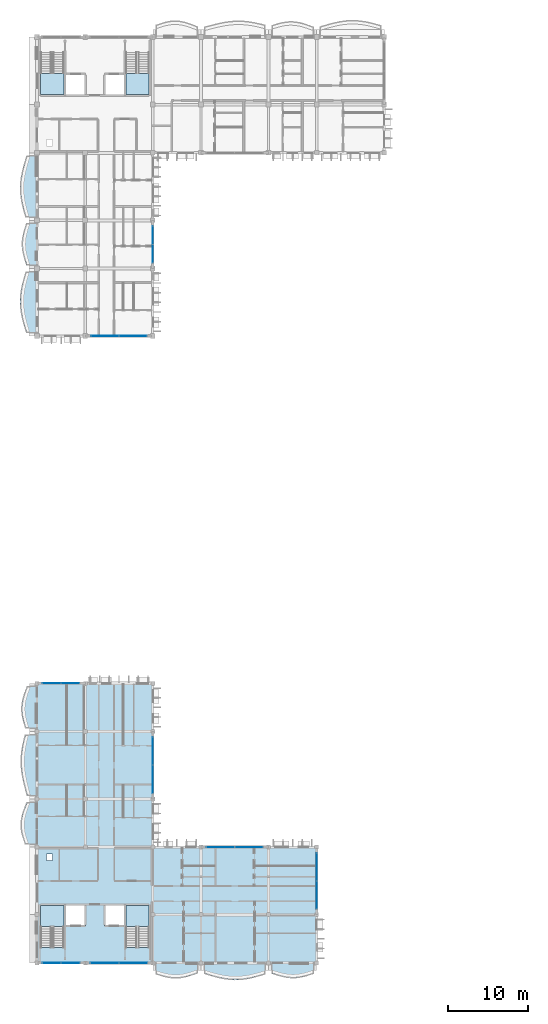
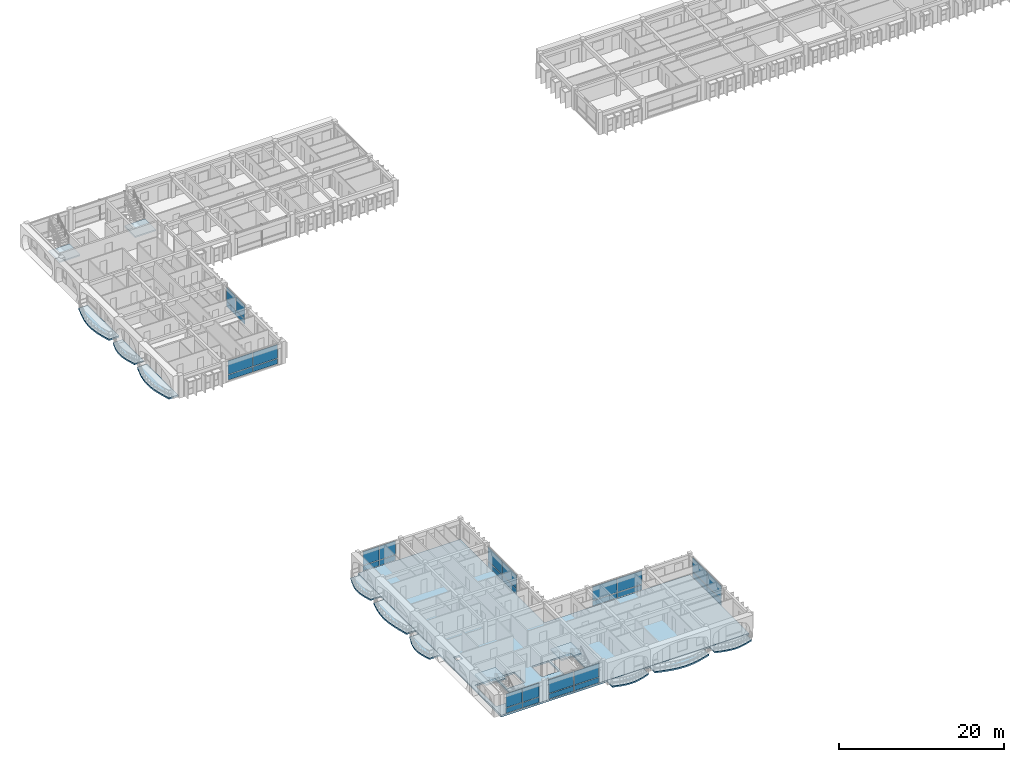
# One storey, part 17 of 54: 32 plates, 14 slabs, 12 elements without a shape of their own.
"""IFC4 building model written with IfcOpenShell, lengths in metres."""

from ifc_helpers import new_model, si_unit, direction, frame, origin, origin_2d, place, context, subcontext, project, spatial, polyline, rectangle, outline, extrude, material, layer, layer_set, type_object, element, aggregate, save


model = new_model("IFC4")

# Units and contexts
model_context = context("Model", 3, precision=1e-05, world=origin(), true_north=direction((0.0, 1.0)))
body_context = subcontext(model_context, "Body", "Model", "MODEL_VIEW")
ifc_project = project(units=[si_unit("LENGTHUNIT", "METRE"), si_unit("AREAUNIT", "SQUARE_METRE"), si_unit("VOLUMEUNIT", "CUBIC_METRE"), si_unit("PLANEANGLEUNIT", "RADIAN"), si_unit("MASSUNIT", "GRAM", prefix="KILO"), si_unit("THERMODYNAMICTEMPERATUREUNIT", "KELVIN")], contexts=[model_context])

# Site, building, storey
site_placement = place(None, origin())
site = spatial("IfcSite", under=ifc_project, at=site_placement, CompositionType="ELEMENT")
building_placement = place(site_placement, origin())
building = spatial("IfcBuilding", under=site, at=building_placement, Name="Thalorik Housing Commons", CompositionType="ELEMENT")
storey_placement = place(building_placement, frame((0.0, 0.0, 31.199951171875)))
storey = spatial("IfcBuildingStorey", under=building, at=storey_placement, Name="L09", CompositionType="ELEMENT", Elevation=31.199951171875)

# Curtain wall, plates
ifc_material_1 = material(Name="Anodised aluminium and solar-control low-E glass", Category="aluminium")
curtain_wall_type_1 = type_object("IfcCurtainWallType", Name="ARC-CW-LOUNGE", PredefinedType="USERDEFINED", material=ifc_material_1)
curtain_wall_1_placement = place(storey_placement, origin())
curtain_wall_1 = element("IfcCurtainWall", 1, at=curtain_wall_1_placement, inside=storey, type_object=curtain_wall_type_1, Name="L09 Curtain Wall CW-RES-L09-A-043", ObjectType="CURTAIN WALL", PredefinedType="USERDEFINED")
ifc_material_2 = material(Name="Cobalt blue enamelled aluminium spandrel panel", Category="aluminium")
ifc_layer_1 = layer(ifc_material_2, 0.0458984375, Name="Cobalt blue enamelled aluminium spandrel panel", Category="aluminium")
ifc_layer_set_1 = layer_set([ifc_layer_1], Name="Cobalt blue enamelled aluminium spandrel panel")
plate_type_1 = type_object("IfcPlateType", Name="ARC-CP-BLU-46", PredefinedType="CURTAIN_PANEL", material=ifc_layer_set_1)
plate_1_placement = place(storey_placement, frame((16.85009765625, 86.39990234375, 0.080078125), z_axis=(0.0, 0.0, 1.0), x_axis=(1.0, 0.0, 0.0)))
plate_1 = element("IfcPlate", 2, at=plate_1_placement, type_object=plate_type_1, Name="CW-RES-L09-A-043 Spandrel Panel 1", PredefinedType="CURTAIN_PANEL", context=body_context, shape_type="SweptSolid", body=[
    extrude(rectangle(XDim=3.43994140625, YDim=0.0458984375, at=origin_2d()), origin(), (0.0, 0.0, 1.0), 0.760009765625),
])
plate_2_placement = place(storey_placement, frame((20.35009765625, 86.39990234375, 0.080078125), z_axis=(0.0, 0.0, 1.0), x_axis=(1.0, 0.0, 0.0)))
plate_2 = element("IfcPlate", 3, at=plate_2_placement, type_object=plate_type_1, Name="CW-RES-L09-A-043 Spandrel Panel 2", PredefinedType="CURTAIN_PANEL", context=body_context, shape_type="SweptSolid", body=[
    extrude(rectangle(XDim=3.43994140625, YDim=0.0458984375, at=origin_2d()), origin(), (0.0, 0.0, 1.0), 0.760009765625),
])

curtain_wall_2_placement = place(storey_placement, origin())
curtain_wall_2 = element("IfcCurtainWall", 4, at=curtain_wall_2_placement, inside=storey, type_object=curtain_wall_type_1, Name="L09 Curtain Wall CW-RES-L09-C-164", ObjectType="CURTAIN WALL", PredefinedType="USERDEFINED")
plate_3_placement = place(storey_placement, frame((22.800048828125, 31.25, 0.080078125), z_axis=(0.0, 0.0, 1.0), x_axis=(0.0, 1.0, 0.0)))
plate_3 = element("IfcPlate", 5, at=plate_3_placement, type_object=plate_type_1, Name="CW-RES-L09-C-164 Spandrel Panel 1", PredefinedType="CURTAIN_PANEL", context=body_context, shape_type="SweptSolid", body=[
    extrude(rectangle(XDim=3.43994140625, YDim=0.0458984375, at=origin_2d()), origin(), (0.0, 0.0, 1.0), 0.760009765625),
])
plate_4_placement = place(storey_placement, frame((22.800048828125, 34.75, 0.080078125), z_axis=(0.0, 0.0, 1.0), x_axis=(0.0, 1.0, 0.0)))
plate_4 = element("IfcPlate", 6, at=plate_4_placement, type_object=plate_type_1, Name="CW-RES-L09-C-164 Spandrel Panel 2", PredefinedType="CURTAIN_PANEL", context=body_context, shape_type="SweptSolid", body=[
    extrude(rectangle(XDim=3.43994140625, YDim=0.0458984375, at=origin_2d()), origin(), (0.0, 0.0, 1.0), 0.760009765625),
])

curtain_wall_3_placement = place(storey_placement, origin())
curtain_wall_3 = element("IfcCurtainWall", 7, at=curtain_wall_3_placement, inside=storey, type_object=curtain_wall_type_1, Name="L09 Curtain Wall CW-RES-L09-C-165", ObjectType="CURTAIN WALL", PredefinedType="USERDEFINED")
plate_5_placement = place(storey_placement, frame((12.550048828125, 43.199951171875, 0.080078125), z_axis=(0.0, 0.0, 1.0), x_axis=(-1.0, 0.0, 0.0)))
plate_5 = element("IfcPlate", 8, at=plate_5_placement, type_object=plate_type_1, Name="CW-RES-L09-C-165 Spandrel Panel 1", PredefinedType="CURTAIN_PANEL", context=body_context, shape_type="SweptSolid", body=[
    extrude(rectangle(XDim=2.239990234375, YDim=0.0458984375, at=origin_2d()), origin(), (0.0, 0.0, 1.0), 0.760009765625),
])
plate_6_placement = place(storey_placement, frame((10.25, 43.199951171875, 0.080078125), z_axis=(0.0, 0.0, 1.0), x_axis=(-1.0, 0.0, 0.0)))
plate_6 = element("IfcPlate", 9, at=plate_6_placement, type_object=plate_type_1, Name="CW-RES-L09-C-165 Spandrel Panel 2", PredefinedType="CURTAIN_PANEL", context=body_context, shape_type="SweptSolid", body=[
    extrude(rectangle(XDim=2.239990234375, YDim=0.0458984375, at=origin_2d()), origin(), (0.0, 0.0, 1.0), 0.760009765625),
])

curtain_wall_type_2 = type_object("IfcCurtainWallType", Name="ARC-CW-CORE", PredefinedType="USERDEFINED", material=ifc_material_1)
curtain_wall_4_placement = place(storey_placement, origin())
curtain_wall_4 = element("IfcCurtainWall", 10, at=curtain_wall_4_placement, inside=storey, type_object=curtain_wall_type_2, Name="L09 Curtain Wall CW-CORE-L09-C-167", ObjectType="CURTAIN WALL", PredefinedType="USERDEFINED")
plate_7_placement = place(storey_placement, frame((10.22509765625, 8.39990234375, 0.080078125), z_axis=(0.0, 0.0, 1.0), x_axis=(1.0, 0.0, 0.0)))
plate_7 = element("IfcPlate", 11, at=plate_7_placement, type_object=plate_type_1, Name="CW-CORE-L09-C-167 Spandrel Panel 1", PredefinedType="CURTAIN_PANEL", context=body_context, shape_type="SweptSolid", body=[
    extrude(rectangle(XDim=2.2900390625, YDim=0.0458984375, at=origin_2d()), origin(), (0.0, 0.0, 1.0), 0.760009765625),
])
plate_8_placement = place(storey_placement, frame((12.574951171875, 8.39990234375, 0.080078125), z_axis=(0.0, 0.0, 1.0), x_axis=(1.0, 0.0, 0.0)))
plate_8 = element("IfcPlate", 12, at=plate_8_placement, type_object=plate_type_1, Name="CW-CORE-L09-C-167 Spandrel Panel 2", PredefinedType="CURTAIN_PANEL", context=body_context, shape_type="SweptSolid", body=[
    extrude(rectangle(XDim=2.2900390625, YDim=0.0458984375, at=origin_2d()), origin(), (0.0, 0.0, 1.0), 0.760009765625),
])

curtain_wall_5_placement = place(storey_placement, origin())
curtain_wall_5 = element("IfcCurtainWall", 13, at=curtain_wall_5_placement, inside=storey, type_object=curtain_wall_type_1, Name="L09 Curtain Wall CW-RES-L09-C-169", ObjectType="CURTAIN WALL", PredefinedType="USERDEFINED")
plate_9_placement = place(storey_placement, frame((43.199951171875, 16.85009765625, 0.080078125), z_axis=(0.0, 0.0, 1.0), x_axis=(0.0, 1.0, 0.0)))
plate_9 = element("IfcPlate", 14, at=plate_9_placement, type_object=plate_type_1, Name="CW-RES-L09-C-169 Spandrel Panel 1", PredefinedType="CURTAIN_PANEL", context=body_context, shape_type="SweptSolid", body=[
    extrude(rectangle(XDim=3.43994140625, YDim=0.0458984375, at=origin_2d()), origin(), (0.0, 0.0, 1.0), 0.760009765625),
])
plate_10_placement = place(storey_placement, frame((43.199951171875, 20.35009765625, 0.080078125), z_axis=(0.0, 0.0, 1.0), x_axis=(0.0, 1.0, 0.0)))
plate_10 = element("IfcPlate", 15, at=plate_10_placement, type_object=plate_type_1, Name="CW-RES-L09-C-169 Spandrel Panel 2", PredefinedType="CURTAIN_PANEL", context=body_context, shape_type="SweptSolid", body=[
    extrude(rectangle(XDim=3.43994140625, YDim=0.0458984375, at=origin_2d()), origin(), (0.0, 0.0, 1.0), 0.760009765625),
])

# Plate
ifc_material_3 = material(Name="Double solar-control low-E glass", Category="glass")
ifc_layer_2 = layer(ifc_material_3, 0.028076171875, Name="Double solar-control low-E glass", Category="glass")
ifc_layer_set_2 = layer_set([ifc_layer_2], Name="Double solar-control low-E glass")
plate_type_2 = type_object("IfcPlateType", Name="ARC-CP-GLZ-28", PredefinedType="CURTAIN_PANEL", material=ifc_layer_set_2)
plate_11_placement = place(storey_placement, frame((16.85009765625, 86.39990234375, 0.919921875), z_axis=(0.0, 0.0, 1.0), x_axis=(1.0, 0.0, 0.0)))
plate_11 = element("IfcPlate", 16, at=plate_11_placement, type_object=plate_type_2, Name="CW-RES-L09-A-043 Vision Panel 1", PredefinedType="CURTAIN_PANEL", context=body_context, shape_type="SweptSolid", body=[
    extrude(rectangle(XDim=3.43994140625, YDim=0.028076171875, at=origin_2d()), origin(), (0.0, 0.0, 1.0), 2.0400390625),
])

plate_12_placement = place(storey_placement, frame((20.35009765625, 86.39990234375, 0.919921875), z_axis=(0.0, 0.0, 1.0), x_axis=(1.0, 0.0, 0.0)))
plate_12 = element("IfcPlate", 17, at=plate_12_placement, type_object=plate_type_2, Name="CW-RES-L09-A-043 Vision Panel 2", PredefinedType="CURTAIN_PANEL", context=body_context, shape_type="SweptSolid", body=[
    extrude(rectangle(XDim=3.43994140625, YDim=0.028076171875, at=origin_2d()), origin(), (0.0, 0.0, 1.0), 2.0400390625),
])

aggregate(curtain_wall_1, [plate_1, plate_11, plate_2, plate_12])

# Curtain wall, plates
curtain_wall_6_placement = place(storey_placement, origin())
curtain_wall_6 = element("IfcCurtainWall", 18, at=curtain_wall_6_placement, inside=storey, type_object=curtain_wall_type_1, Name="L09 Curtain Wall CW-RES-L09-A-044", ObjectType="CURTAIN WALL", PredefinedType="USERDEFINED")
plate_13_placement = place(storey_placement, frame((22.800048828125, 96.64990234375, 0.919921875), z_axis=(0.0, 0.0, 1.0), x_axis=(0.0, 1.0, 0.0)))
plate_13 = element("IfcPlate", 19, at=plate_13_placement, type_object=plate_type_2, Name="CW-RES-L09-A-044 Vision Panel 1", PredefinedType="CURTAIN_PANEL", context=body_context, shape_type="SweptSolid", body=[
    extrude(rectangle(XDim=2.239990234375, YDim=0.028076171875, at=origin_2d()), origin(), (0.0, 0.0, 1.0), 2.0400390625),
])
plate_14_placement = place(storey_placement, frame((22.800048828125, 98.949951171875, 0.919921875), z_axis=(0.0, 0.0, 1.0), x_axis=(0.0, 1.0, 0.0)))
plate_14 = element("IfcPlate", 20, at=plate_14_placement, type_object=plate_type_2, Name="CW-RES-L09-A-044 Vision Panel 2", PredefinedType="CURTAIN_PANEL", context=body_context, shape_type="SweptSolid", body=[
    extrude(rectangle(XDim=2.239990234375, YDim=0.028076171875, at=origin_2d()), origin(), (0.0, 0.0, 1.0), 2.0400390625),
])

# Plate
plate_15_placement = place(storey_placement, frame((22.800048828125, 31.25, 0.919921875), z_axis=(0.0, 0.0, 1.0), x_axis=(0.0, 1.0, 0.0)))
plate_15 = element("IfcPlate", 21, at=plate_15_placement, type_object=plate_type_2, Name="CW-RES-L09-C-164 Vision Panel 1", PredefinedType="CURTAIN_PANEL", context=body_context, shape_type="SweptSolid", body=[
    extrude(rectangle(XDim=3.43994140625, YDim=0.028076171875, at=origin_2d()), origin(), (0.0, 0.0, 1.0), 2.0400390625),
])

plate_16_placement = place(storey_placement, frame((22.800048828125, 34.75, 0.919921875), z_axis=(0.0, 0.0, 1.0), x_axis=(0.0, 1.0, 0.0)))
plate_16 = element("IfcPlate", 22, at=plate_16_placement, type_object=plate_type_2, Name="CW-RES-L09-C-164 Vision Panel 2", PredefinedType="CURTAIN_PANEL", context=body_context, shape_type="SweptSolid", body=[
    extrude(rectangle(XDim=3.43994140625, YDim=0.028076171875, at=origin_2d()), origin(), (0.0, 0.0, 1.0), 2.0400390625),
])

aggregate(curtain_wall_2, [plate_3, plate_15, plate_4, plate_16])

plate_17_placement = place(storey_placement, frame((12.550048828125, 43.199951171875, 0.919921875), z_axis=(0.0, 0.0, 1.0), x_axis=(-1.0, 0.0, 0.0)))
plate_17 = element("IfcPlate", 23, at=plate_17_placement, type_object=plate_type_2, Name="CW-RES-L09-C-165 Vision Panel 1", PredefinedType="CURTAIN_PANEL", context=body_context, shape_type="SweptSolid", body=[
    extrude(rectangle(XDim=2.239990234375, YDim=0.028076171875, at=origin_2d()), origin(), (0.0, 0.0, 1.0), 2.0400390625),
])

plate_18_placement = place(storey_placement, frame((10.25, 43.199951171875, 0.919921875), z_axis=(0.0, 0.0, 1.0), x_axis=(-1.0, 0.0, 0.0)))
plate_18 = element("IfcPlate", 24, at=plate_18_placement, type_object=plate_type_2, Name="CW-RES-L09-C-165 Vision Panel 2", PredefinedType="CURTAIN_PANEL", context=body_context, shape_type="SweptSolid", body=[
    extrude(rectangle(XDim=2.239990234375, YDim=0.028076171875, at=origin_2d()), origin(), (0.0, 0.0, 1.0), 2.0400390625),
])

aggregate(curtain_wall_3, [plate_5, plate_17, plate_6, plate_18])

plate_19_placement = place(storey_placement, frame((10.22509765625, 8.39990234375, 0.919921875), z_axis=(0.0, 0.0, 1.0), x_axis=(1.0, 0.0, 0.0)))
plate_19 = element("IfcPlate", 25, at=plate_19_placement, type_object=plate_type_2, Name="CW-CORE-L09-C-167 Vision Panel 1", PredefinedType="CURTAIN_PANEL", context=body_context, shape_type="SweptSolid", body=[
    extrude(rectangle(XDim=2.2900390625, YDim=0.028076171875, at=origin_2d()), origin(), (0.0, 0.0, 1.0), 2.0400390625),
])

plate_20_placement = place(storey_placement, frame((12.574951171875, 8.39990234375, 0.919921875), z_axis=(0.0, 0.0, 1.0), x_axis=(1.0, 0.0, 0.0)))
plate_20 = element("IfcPlate", 26, at=plate_20_placement, type_object=plate_type_2, Name="CW-CORE-L09-C-167 Vision Panel 2", PredefinedType="CURTAIN_PANEL", context=body_context, shape_type="SweptSolid", body=[
    extrude(rectangle(XDim=2.2900390625, YDim=0.028076171875, at=origin_2d()), origin(), (0.0, 0.0, 1.0), 2.0400390625),
])

aggregate(curtain_wall_4, [plate_7, plate_19, plate_8, plate_20])

# Curtain wall, plates
curtain_wall_7_placement = place(storey_placement, origin())
curtain_wall_7 = element("IfcCurtainWall", 27, at=curtain_wall_7_placement, inside=storey, type_object=curtain_wall_type_2, Name="L09 Curtain Wall CW-CORE-L09-C-168", ObjectType="CURTAIN WALL", PredefinedType="USERDEFINED")
plate_21_placement = place(storey_placement, frame((16.824951171875, 8.39990234375, 0.919921875), z_axis=(0.0, 0.0, 1.0), x_axis=(1.0, 0.0, 0.0)))
plate_21 = element("IfcPlate", 28, at=plate_21_placement, type_object=plate_type_2, Name="CW-CORE-L09-C-168 Vision Panel 1", PredefinedType="CURTAIN_PANEL", context=body_context, shape_type="SweptSolid", body=[
    extrude(rectangle(XDim=3.489990234375, YDim=0.028076171875, at=origin_2d()), origin(), (0.0, 0.0, 1.0), 2.0400390625),
])
plate_22_placement = place(storey_placement, frame((20.375, 8.39990234375, 0.919921875), z_axis=(0.0, 0.0, 1.0), x_axis=(1.0, 0.0, 0.0)))
plate_22 = element("IfcPlate", 29, at=plate_22_placement, type_object=plate_type_2, Name="CW-CORE-L09-C-168 Vision Panel 2", PredefinedType="CURTAIN_PANEL", context=body_context, shape_type="SweptSolid", body=[
    extrude(rectangle(XDim=3.489990234375, YDim=0.028076171875, at=origin_2d()), origin(), (0.0, 0.0, 1.0), 2.0400390625),
])

# Plate
plate_23_placement = place(storey_placement, frame((43.199951171875, 16.85009765625, 0.919921875), z_axis=(0.0, 0.0, 1.0), x_axis=(0.0, 1.0, 0.0)))
plate_23 = element("IfcPlate", 30, at=plate_23_placement, type_object=plate_type_2, Name="CW-RES-L09-C-169 Vision Panel 1", PredefinedType="CURTAIN_PANEL", context=body_context, shape_type="SweptSolid", body=[
    extrude(rectangle(XDim=3.43994140625, YDim=0.028076171875, at=origin_2d()), origin(), (0.0, 0.0, 1.0), 2.0400390625),
])

plate_24_placement = place(storey_placement, frame((43.199951171875, 20.35009765625, 0.919921875), z_axis=(0.0, 0.0, 1.0), x_axis=(0.0, 1.0, 0.0)))
plate_24 = element("IfcPlate", 31, at=plate_24_placement, type_object=plate_type_2, Name="CW-RES-L09-C-169 Vision Panel 2", PredefinedType="CURTAIN_PANEL", context=body_context, shape_type="SweptSolid", body=[
    extrude(rectangle(XDim=3.43994140625, YDim=0.028076171875, at=origin_2d()), origin(), (0.0, 0.0, 1.0), 2.0400390625),
])

aggregate(curtain_wall_5, [plate_9, plate_23, plate_10, plate_24])

# Curtain wall, plates
curtain_wall_8_placement = place(storey_placement, origin())
curtain_wall_8 = element("IfcCurtainWall", 32, at=curtain_wall_8_placement, inside=storey, type_object=curtain_wall_type_1, Name="L09 Curtain Wall CW-RES-L09-C-170", ObjectType="CURTAIN WALL", PredefinedType="USERDEFINED")
plate_25_placement = place(storey_placement, frame((34.75, 22.800048828125, 0.919921875), z_axis=(0.0, 0.0, 1.0), x_axis=(-1.0, 0.0, 0.0)))
plate_25 = element("IfcPlate", 33, at=plate_25_placement, type_object=plate_type_2, Name="CW-RES-L09-C-170 Vision Panel 1", PredefinedType="CURTAIN_PANEL", context=body_context, shape_type="SweptSolid", body=[
    extrude(rectangle(XDim=3.43994140625, YDim=0.028076171875, at=origin_2d()), origin(), (0.0, 0.0, 1.0), 2.0400390625),
])
plate_26_placement = place(storey_placement, frame((31.25, 22.800048828125, 0.919921875), z_axis=(0.0, 0.0, 1.0), x_axis=(-1.0, 0.0, 0.0)))
plate_26 = element("IfcPlate", 34, at=plate_26_placement, type_object=plate_type_2, Name="CW-RES-L09-C-170 Vision Panel 2", PredefinedType="CURTAIN_PANEL", context=body_context, shape_type="SweptSolid", body=[
    extrude(rectangle(XDim=3.43994140625, YDim=0.028076171875, at=origin_2d()), origin(), (0.0, 0.0, 1.0), 2.0400390625),
])

# Plate
ifc_material_4 = material(Name="Oxide red enamelled aluminium spandrel panel", Category="aluminium")
ifc_layer_3 = layer(ifc_material_4, 0.0419921875, Name="Oxide red enamelled aluminium spandrel panel", Category="aluminium")
ifc_layer_set_3 = layer_set([ifc_layer_3], Name="Oxide red enamelled aluminium spandrel panel")
plate_type_3 = type_object("IfcPlateType", Name="ARC-CP-RED-42", PredefinedType="CURTAIN_PANEL", material=ifc_layer_set_3)
plate_27_placement = place(storey_placement, frame((22.800048828125, 96.64990234375, 0.080078125), z_axis=(0.0, 0.0, 1.0), x_axis=(0.0, 1.0, 0.0)))
plate_27 = element("IfcPlate", 35, at=plate_27_placement, type_object=plate_type_3, Name="CW-RES-L09-A-044 Spandrel Panel 1", PredefinedType="CURTAIN_PANEL", context=body_context, shape_type="SweptSolid", body=[
    extrude(rectangle(XDim=2.239990234375, YDim=0.0419921875, at=origin_2d()), origin(), (0.0, 0.0, 1.0), 0.760009765625),
])

plate_28_placement = place(storey_placement, frame((22.800048828125, 98.949951171875, 0.080078125), z_axis=(0.0, 0.0, 1.0), x_axis=(0.0, 1.0, 0.0)))
plate_28 = element("IfcPlate", 36, at=plate_28_placement, type_object=plate_type_3, Name="CW-RES-L09-A-044 Spandrel Panel 2", PredefinedType="CURTAIN_PANEL", context=body_context, shape_type="SweptSolid", body=[
    extrude(rectangle(XDim=2.239990234375, YDim=0.0419921875, at=origin_2d()), origin(), (0.0, 0.0, 1.0), 0.760009765625),
])

aggregate(curtain_wall_6, [plate_27, plate_13, plate_28, plate_14])

plate_29_placement = place(storey_placement, frame((34.75, 22.800048828125, 0.080078125), z_axis=(0.0, 0.0, 1.0), x_axis=(-1.0, 0.0, 0.0)))
plate_29 = element("IfcPlate", 37, at=plate_29_placement, type_object=plate_type_3, Name="CW-RES-L09-C-170 Spandrel Panel 1", PredefinedType="CURTAIN_PANEL", context=body_context, shape_type="SweptSolid", body=[
    extrude(rectangle(XDim=3.43994140625, YDim=0.0419921875, at=origin_2d()), origin(), (0.0, 0.0, 1.0), 0.760009765625),
])

plate_30_placement = place(storey_placement, frame((31.25, 22.800048828125, 0.080078125), z_axis=(0.0, 0.0, 1.0), x_axis=(-1.0, 0.0, 0.0)))
plate_30 = element("IfcPlate", 38, at=plate_30_placement, type_object=plate_type_3, Name="CW-RES-L09-C-170 Spandrel Panel 2", PredefinedType="CURTAIN_PANEL", context=body_context, shape_type="SweptSolid", body=[
    extrude(rectangle(XDim=3.43994140625, YDim=0.0419921875, at=origin_2d()), origin(), (0.0, 0.0, 1.0), 0.760009765625),
])

aggregate(curtain_wall_8, [plate_29, plate_25, plate_30, plate_26])

ifc_material_5 = material(Name="Mineral ochre yellow aluminium spandrel panel", Category="aluminium")
ifc_layer_4 = layer(ifc_material_5, 0.050048828125, Name="Mineral ochre yellow aluminium spandrel panel", Category="aluminium")
ifc_layer_set_4 = layer_set([ifc_layer_4], Name="Mineral ochre yellow aluminium spandrel panel")
plate_type_4 = type_object("IfcPlateType", Name="ARC-CP-YEL-50", PredefinedType="CURTAIN_PANEL", material=ifc_layer_set_4)
plate_31_placement = place(storey_placement, frame((16.824951171875, 8.39990234375, 0.080078125), z_axis=(0.0, 0.0, 1.0), x_axis=(1.0, 0.0, 0.0)))
plate_31 = element("IfcPlate", 39, at=plate_31_placement, type_object=plate_type_4, Name="CW-CORE-L09-C-168 Spandrel Panel 1", PredefinedType="CURTAIN_PANEL", context=body_context, shape_type="SweptSolid", body=[
    extrude(rectangle(XDim=3.489990234375, YDim=0.050048828125, at=origin_2d()), origin(), (0.0, 0.0, 1.0), 0.760009765625),
])

plate_32_placement = place(storey_placement, frame((20.375, 8.39990234375, 0.080078125), z_axis=(0.0, 0.0, 1.0), x_axis=(1.0, 0.0, 0.0)))
plate_32 = element("IfcPlate", 40, at=plate_32_placement, type_object=plate_type_4, Name="CW-CORE-L09-C-168 Spandrel Panel 2", PredefinedType="CURTAIN_PANEL", context=body_context, shape_type="SweptSolid", body=[
    extrude(rectangle(XDim=3.489990234375, YDim=0.050048828125, at=origin_2d()), origin(), (0.0, 0.0, 1.0), 0.760009765625),
])

aggregate(curtain_wall_7, [plate_31, plate_21, plate_32, plate_22])

# Stair, slab
ifc_material_6 = material(Name="Precast concrete C40/50", Category="concrete")
stair_type = type_object("IfcStairType", Name="ARC-STR-1350-R20", PredefinedType="HALF_TURN_STAIR", material=ifc_material_6)
stair_1_placement = place(storey_placement, origin())
stair_1 = element("IfcStair", 41, at=stair_1_placement, inside=storey, type_object=stair_type, Name="L09 Block A Smoke-Proof Stair 1", PredefinedType="HALF_TURN_STAIR")
ifc_layer_5 = layer(ifc_material_6, 0.199951171875, Name="Precast concrete C40/50", Category="concrete")
ifc_layer_set_5 = layer_set([ifc_layer_5], Name="Precast concrete C40/50")
slab_type_1 = type_object("IfcSlabType", Name="ARC-SLB-STLND-200", PredefinedType="LANDING", material=ifc_layer_set_5)
slab_1_placement = place(storey_placement, frame((0.0, 0.0, 1.449951171875)))
slab_1 = element("IfcSlab", 42, at=slab_1_placement, type_object=slab_type_1, Name="ST-A1 landing 1", PredefinedType="LANDING", context=body_context, shape_type="SweptSolid", body=[
    extrude(outline(polyline([(8.85009765625, 119.090087890625), (8.85009765625, 116.449951171875), (11.75, 116.449951171875), (11.75, 119.090087890625), (8.85009765625, 119.090087890625)])), origin(), (0.0, 0.0, 1.0), 0.2001953125),
])
aggregate(stair_1, [slab_1])

stair_2_placement = place(storey_placement, origin())
stair_2 = element("IfcStair", 43, at=stair_2_placement, inside=storey, type_object=stair_type, Name="L09 Block A Smoke-Proof Stair 2", PredefinedType="HALF_TURN_STAIR")
slab_2_placement = place(storey_placement, frame((0.0, 0.0, 1.449951171875)))
slab_2 = element("IfcSlab", 44, at=slab_2_placement, type_object=slab_type_1, Name="ST-A2 landing 1", PredefinedType="LANDING", context=body_context, shape_type="SweptSolid", body=[
    extrude(outline(polyline([(19.449951171875, 119.090087890625), (19.449951171875, 116.449951171875), (22.35009765625, 116.449951171875), (22.35009765625, 119.090087890625), (19.449951171875, 119.090087890625)])), origin(), (0.0, 0.0, 1.0), 0.2001953125),
])
aggregate(stair_2, [slab_2])

stair_3_placement = place(storey_placement, origin())
stair_3 = element("IfcStair", 45, at=stair_3_placement, inside=storey, type_object=stair_type, Name="L09 Block C Smoke-Proof Stair 1", PredefinedType="HALF_TURN_STAIR")
slab_3_placement = place(storey_placement, frame((0.0, 0.0, 1.449951171875)))
slab_3 = element("IfcSlab", 46, at=slab_3_placement, type_object=slab_type_1, Name="ST-C1 landing 1", PredefinedType="LANDING", context=body_context, shape_type="SweptSolid", body=[
    extrude(outline(polyline([(11.75, 12.909912109375), (11.75, 15.550048828125), (8.85009765625, 15.550048828125), (8.85009765625, 12.909912109375), (11.75, 12.909912109375)])), origin(), (0.0, 0.0, 1.0), 0.2001953125),
])
aggregate(stair_3, [slab_3])

stair_4_placement = place(storey_placement, origin())
stair_4 = element("IfcStair", 47, at=stair_4_placement, inside=storey, type_object=stair_type, Name="L09 Block C Smoke-Proof Stair 2", PredefinedType="HALF_TURN_STAIR")
slab_4_placement = place(storey_placement, frame((0.0, 0.0, 1.449951171875)))
slab_4 = element("IfcSlab", 48, at=slab_4_placement, type_object=slab_type_1, Name="ST-C2 landing 1", PredefinedType="LANDING", context=body_context, shape_type="SweptSolid", body=[
    extrude(outline(polyline([(22.35009765625, 12.909912109375), (22.35009765625, 15.550048828125), (19.449951171875, 15.550048828125), (19.449951171875, 12.909912109375), (22.35009765625, 12.909912109375)])), origin(), (0.0, 0.0, 1.0), 0.2001953125),
])
aggregate(stair_4, [slab_4])

# Slabs
ifc_layer_6 = layer(ifc_material_6, 0.199951171875, Name="Precast concrete C40/50", Category="concrete")
ifc_layer_set_6 = layer_set([ifc_layer_6], Name="Precast concrete C40/50")
slab_type_2 = type_object("IfcSlabType", Name="STR-SLB-BALC-200", PredefinedType="FLOOR", material=ifc_layer_set_6)
slab_5_placement = place(storey_placement, frame((0.0, 0.0, -0.199951171875)))
element("IfcSlab", 49, at=slab_5_placement, inside=storey, type_object=slab_type_2, Name="L09 Block A Cushion Balcony 67", PredefinedType="FLOOR", context=body_context, shape_type="SweptSolid", body=[
    extrude(outline(polyline([(8.39990234375, 95.219970703125), (8.39990234375, 100.3798828125), (7.06787109375, 100.3798828125), (6.9296875, 99.949951171875), (6.80078125, 99.52001953125), (6.689697265625, 99.090087890625), (6.60498046875, 98.659912109375), (6.552978515625, 98.22998046875), (6.537109375, 97.800048828125), (6.55859375, 97.3701171875), (6.616455078125, 96.93994140625), (6.706298828125, 96.510009765625), (6.822021484375, 96.080078125), (6.954833984375, 95.64990234375), (7.095703125, 95.219970703125), (8.39990234375, 95.219970703125)])), origin(), (0.0, 0.0, 1.0), 0.199951171875),
])
slab_6_placement = place(storey_placement, frame((0.0, 0.0, -0.199951171875)))
element("IfcSlab", 50, at=slab_6_placement, inside=storey, type_object=slab_type_2, Name="L09 Block C Cushion Balcony 317", PredefinedType="FLOOR", context=body_context, shape_type="SweptSolid", body=[
    extrude(outline(polyline([(8.39990234375, 23.219970703125), (8.39990234375, 28.3798828125), (7.12158203125, 28.3798828125), (6.947021484375, 27.949951171875), (6.781005859375, 27.52001953125), (6.633544921875, 27.090087890625), (6.514404296875, 26.659912109375), (6.430908203125, 26.22998046875), (6.38818359375, 25.800048828125), (6.38818359375, 25.3701171875), (6.43017578125, 24.93994140625), (6.510986328125, 24.510009765625), (6.6240234375, 24.080078125), (6.76171875, 23.64990234375), (6.9140625, 23.219970703125), (8.39990234375, 23.219970703125)])), origin(), (0.0, 0.0, 1.0), 0.199951171875),
])
slab_7_placement = place(storey_placement, frame((0.0, 0.0, -0.199951171875)))
element("IfcSlab", 51, at=slab_7_placement, inside=storey, type_object=slab_type_2, Name="L09 Block C Cushion Balcony 319", PredefinedType="FLOOR", context=body_context, shape_type="SweptSolid", body=[
    extrude(outline(polyline([(8.39990234375, 37.6201171875), (8.39990234375, 42.780029296875), (7.149658203125, 42.780029296875), (6.990966796875, 42.35009765625), (6.8388671875, 41.919921875), (6.70361328125, 41.489990234375), (6.593994140625, 41.06005859375), (6.517578125, 40.6298828125), (6.478515625, 40.199951171875), (6.47900390625, 39.77001953125), (6.5185546875, 39.340087890625), (6.593505859375, 38.909912109375), (6.6982421875, 38.47998046875), (6.82470703125, 38.050048828125), (6.963623046875, 37.6201171875), (8.39990234375, 37.6201171875)])), origin(), (0.0, 0.0, 1.0), 0.199951171875),
])
slab_8_placement = place(storey_placement, frame((0.0, 0.0, -0.199951171875)))
element("IfcSlab", 52, at=slab_8_placement, inside=storey, type_object=slab_type_2, Name="L09 Block C Cushion Balcony 320", PredefinedType="FLOOR", context=body_context, shape_type="SweptSolid", body=[
    extrude(outline(polyline([(23.219970703125, 7.00634765625), (23.64990234375, 6.8701171875), (24.080078125, 6.74462890625), (24.510009765625, 6.639404296875), (24.93994140625, 6.562255859375), (25.3701171875, 6.51904296875), (25.800048828125, 6.513427734375), (26.22998046875, 6.546142578125), (26.659912109375, 6.615478515625), (27.090087890625, 6.716796875), (27.52001953125, 6.843505859375), (27.949951171875, 6.98681640625), (28.3798828125, 7.136962890625), (28.3798828125, 8.39990234375), (23.219970703125, 8.39990234375), (23.219970703125, 7.00634765625)])), origin(), (0.0, 0.0, 1.0), 0.199951171875),
])
slab_9_placement = place(storey_placement, frame((0.0, 0.0, -0.199951171875)))
element("IfcSlab", 53, at=slab_9_placement, inside=storey, type_object=slab_type_2, Name="L09 Block C Cushion Balcony 322", PredefinedType="FLOOR", context=body_context, shape_type="SweptSolid", body=[
    extrude(outline(polyline([(37.6201171875, 7.095703125), (38.050048828125, 6.954833984375), (38.47998046875, 6.822021484375), (38.909912109375, 6.706298828125), (39.340087890625, 6.616455078125), (39.77001953125, 6.55859375), (40.199951171875, 6.537109375), (40.6298828125, 6.552978515625), (41.06005859375, 6.60498046875), (41.489990234375, 6.689697265625), (41.919921875, 6.80078125), (42.35009765625, 6.9296875), (42.780029296875, 7.06787109375), (42.780029296875, 8.39990234375), (37.6201171875, 8.39990234375), (37.6201171875, 7.095703125)])), origin(), (0.0, 0.0, 1.0), 0.199951171875),
])
ifc_layer_7 = layer(ifc_material_6, 0.219970703125, Name="Precast concrete C40/50", Category="concrete")
ifc_layer_set_7 = layer_set([ifc_layer_7], Name="Precast concrete C40/50")
slab_type_3 = type_object("IfcSlabType", Name="STR-SLB-BALC-220", PredefinedType="FLOOR", material=ifc_layer_set_7)
slab_10_placement = place(storey_placement, frame((0.0, 0.0, -0.219970703125)))
element("IfcSlab", 54, at=slab_10_placement, inside=storey, type_object=slab_type_3, Name="L09 Block A Cushion Balcony 66", PredefinedType="FLOOR", context=body_context, shape_type="SweptSolid", body=[
    extrude(outline(polyline([(8.39990234375, 86.820068359375), (8.39990234375, 94.3798828125), (7.00927734375, 94.3798828125), (6.820068359375, 93.75), (6.6455078125, 93.1201171875), (6.49755859375, 92.489990234375), (6.386962890625, 91.860107421875), (6.32080078125, 91.22998046875), (6.30419921875, 90.60009765625), (6.337646484375, 89.969970703125), (6.419189453125, 89.340087890625), (6.542724609375, 88.7099609375), (6.7001953125, 88.080078125), (6.88037109375, 87.449951171875), (7.07080078125, 86.820068359375), (8.39990234375, 86.820068359375)])), origin(), (0.0, 0.0, 1.0), 0.219970703125),
])
slab_11_placement = place(storey_placement, frame((0.0, 0.0, -0.219970703125)))
element("IfcSlab", 55, at=slab_11_placement, inside=storey, type_object=slab_type_3, Name="L09 Block A Cushion Balcony 68", PredefinedType="FLOOR", context=body_context, shape_type="SweptSolid", body=[
    extrude(outline(polyline([(8.39990234375, 101.219970703125), (8.39990234375, 108.780029296875), (7.098388671875, 108.780029296875), (6.910888671875, 108.14990234375), (6.731201171875, 107.52001953125), (6.572021484375, 106.889892578125), (6.444091796875, 106.260009765625), (6.356689453125, 105.6298828125), (6.31591796875, 105.0), (6.324462890625, 104.3701171875), (6.382080078125, 103.739990234375), (6.484619140625, 103.110107421875), (6.625244140625, 102.47998046875), (6.794189453125, 101.85009765625), (6.979736328125, 101.219970703125), (8.39990234375, 101.219970703125)])), origin(), (0.0, 0.0, 1.0), 0.219970703125),
])
slab_12_placement = place(storey_placement, frame((0.0, 0.0, -0.219970703125)))
element("IfcSlab", 56, at=slab_12_placement, inside=storey, type_object=slab_type_3, Name="L09 Block C Cushion Balcony 318", PredefinedType="FLOOR", context=body_context, shape_type="SweptSolid", body=[
    extrude(outline(polyline([(8.39990234375, 29.219970703125), (8.39990234375, 36.780029296875), (6.91455078125, 36.780029296875), (6.75390625, 36.14990234375), (6.61279296875, 35.52001953125), (6.501220703125, 34.889892578125), (6.426025390625, 34.260009765625), (6.392822265625, 33.6298828125), (6.403564453125, 33.0), (6.456787109375, 32.3701171875), (6.54931640625, 31.739990234375), (6.67431640625, 31.110107421875), (6.822998046875, 30.47998046875), (6.9853515625, 29.85009765625), (7.14990234375, 29.219970703125), (8.39990234375, 29.219970703125)])), origin(), (0.0, 0.0, 1.0), 0.219970703125),
])
slab_13_placement = place(storey_placement, frame((0.0, 0.0, -0.219970703125)))
element("IfcSlab", 57, at=slab_13_placement, inside=storey, type_object=slab_type_3, Name="L09 Block C Cushion Balcony 321", PredefinedType="FLOOR", context=body_context, shape_type="SweptSolid", body=[
    extrude(outline(polyline([(29.219970703125, 7.07080078125), (29.85009765625, 6.88037109375), (30.47998046875, 6.7001953125), (31.110107421875, 6.542724609375), (31.739990234375, 6.419189453125), (32.3701171875, 6.337646484375), (33.0, 6.30419921875), (33.6298828125, 6.32080078125), (34.260009765625, 6.386962890625), (34.889892578125, 6.49755859375), (35.52001953125, 6.6455078125), (36.14990234375, 6.820068359375), (36.780029296875, 7.00927734375), (36.780029296875, 8.39990234375), (29.219970703125, 8.39990234375), (29.219970703125, 7.07080078125)])), origin(), (0.0, 0.0, 1.0), 0.219970703125),
])
ifc_material_7 = material(Name="Precast concrete C45/55", Category="concrete")
ifc_layer_8 = layer(ifc_material_7, 0.260009765625, Name="Precast concrete C45/55", Category="concrete")
ifc_layer_set_8 = layer_set([ifc_layer_8], Name="Precast concrete C45/55")
slab_type_4 = type_object("IfcSlabType", Name="STR-SLB-HC-260", PredefinedType="FLOOR", material=ifc_layer_set_8)
slab_14_placement = place(storey_placement, frame((0.0, 0.0, -0.260009765625)))
element("IfcSlab", 58, at=slab_14_placement, inside=storey, type_object=slab_type_4, Name="L09 Residential Block C Floor Slab", PredefinedType="FLOOR", context=body_context, shape_type="SweptSolid", body=[
    extrude(outline(polyline([(8.39990234375, 8.39990234375), (22.800048828125, 8.39990234375), (43.199951171875, 8.39990234375), (43.199951171875, 22.800048828125), (22.800048828125, 22.800048828125), (22.800048828125, 43.199951171875), (8.39990234375, 43.199951171875), (8.39990234375, 8.39990234375)]), holes=[polyline([(11.75, 10.35009765625), (8.85009765625, 10.35009765625), (8.85009765625, 15.550048828125), (11.75, 15.550048828125), (11.75, 10.35009765625)]), polyline([(19.449951171875, 10.35009765625), (19.449951171875, 15.550048828125), (22.35009765625, 15.550048828125), (22.35009765625, 10.35009765625), (19.449951171875, 10.35009765625)]), polyline([(14.39990234375, 15.550048828125), (14.39990234375, 13.0), (12.0, 13.0), (12.0, 15.550048828125), (14.39990234375, 15.550048828125)]), polyline([(19.199951171875, 13.0), (16.800048828125, 13.0), (16.800048828125, 15.550048828125), (19.199951171875, 15.550048828125), (19.199951171875, 13.0)]), polyline([(9.550048828125, 21.14990234375), (9.550048828125, 21.949951171875), (10.35009765625, 21.949951171875), (10.35009765625, 21.14990234375), (9.550048828125, 21.14990234375)])]), origin(), (0.0, 0.0, 1.0), 0.260009765625),
])

save(model, "model.ifc")
